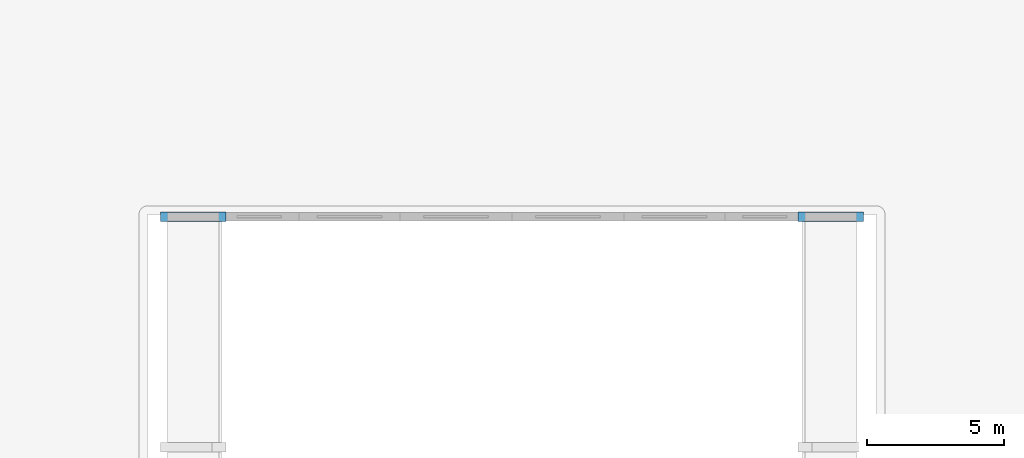
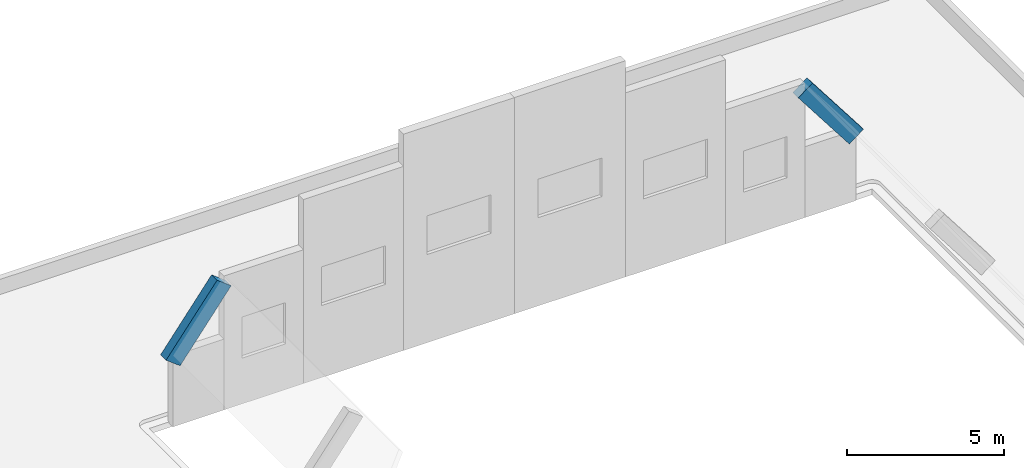
# One storey, part 20 of 79: 2 beams.
"""IFC4 building model written with IfcOpenShell, lengths in metres."""

from ifc_helpers import new_model, si_unit, direction, frame, origin, origin_2d, place, context, subcontext, project, spatial, rectangle, extrude, material, material_profile, profile_set, type_object, element, save


model = new_model("IFC4")

# Units and contexts
model_context = context("Model", 3, precision=1e-05, world=origin(), true_north=direction((0.0, 1.0)))
body_context = subcontext(model_context, "Body", "Model", "MODEL_VIEW")
ifc_project = project(units=[si_unit("LENGTHUNIT", "METRE"), si_unit("AREAUNIT", "SQUARE_METRE"), si_unit("VOLUMEUNIT", "CUBIC_METRE"), si_unit("PLANEANGLEUNIT", "RADIAN"), si_unit("MASSUNIT", "GRAM", prefix="KILO")], contexts=[model_context])

# Site, building, storey
site_placement = place(None, origin())
site = spatial("IfcSite", under=ifc_project, at=site_placement, CompositionType="ELEMENT")
building_placement = place(site_placement, origin())
building = spatial("IfcBuilding", under=site, at=building_placement, Name="Kolvaren Faculty of Natural Sciences", CompositionType="ELEMENT")
storey_placement = place(building_placement, frame((0.0, 0.0, 10.199951171875)))
storey = spatial("IfcBuildingStorey", under=building, at=storey_placement, Name="L02", CompositionType="ELEMENT", Elevation=10.199951171875)

# Beams
ifc_material = material(Name="Concrete C40/50", Category="concrete")
ifc_material_profile = material_profile(ifc_material, rectangle(XDim=0.35009765625, YDim=0.64990234375, at=origin_2d()), Name="RC RB 350x650")
ifc_profile_set = profile_set([ifc_material_profile], Name="Concrete C40/50")
beam_type = type_object("IfcBeamType", Name="ShellArchRib_350x650", PredefinedType="BEAM", material=ifc_profile_set)
for number, where, z_axis, x_axis, name in (
    (1, (7.446044921875, 109.39990234375, 2.439453125), (0.607262254738, 0.0, 0.794501449949), (0.0, 1.0, 0.0), "Lecture Theatre Pavilion Barrel Vault Shell arched stiffening rib 5.2"),
    (2, (30.678955078125, 109.39990234375, 4.892578125), (0.607262254738, 0.0, -0.794501449949), (0.0, 1.0, 0.0), "Lecture Theatre Pavilion Barrel Vault Shell arched stiffening rib 5.9"),
):
    element("IfcBeam", number, at=place(storey_placement, frame(where, z_axis=z_axis, x_axis=x_axis)), inside=storey, type_object=beam_type, Name=name, PredefinedType="BEAM", context=body_context, shape_type="SweptSolid", body=[
        extrude(rectangle(XDim=0.35009765625, YDim=0.64990234375, at=origin_2d()), origin(), (0.0, 0.0, 1.0), 3.087646484375),
    ])

save(model, "model.ifc")
